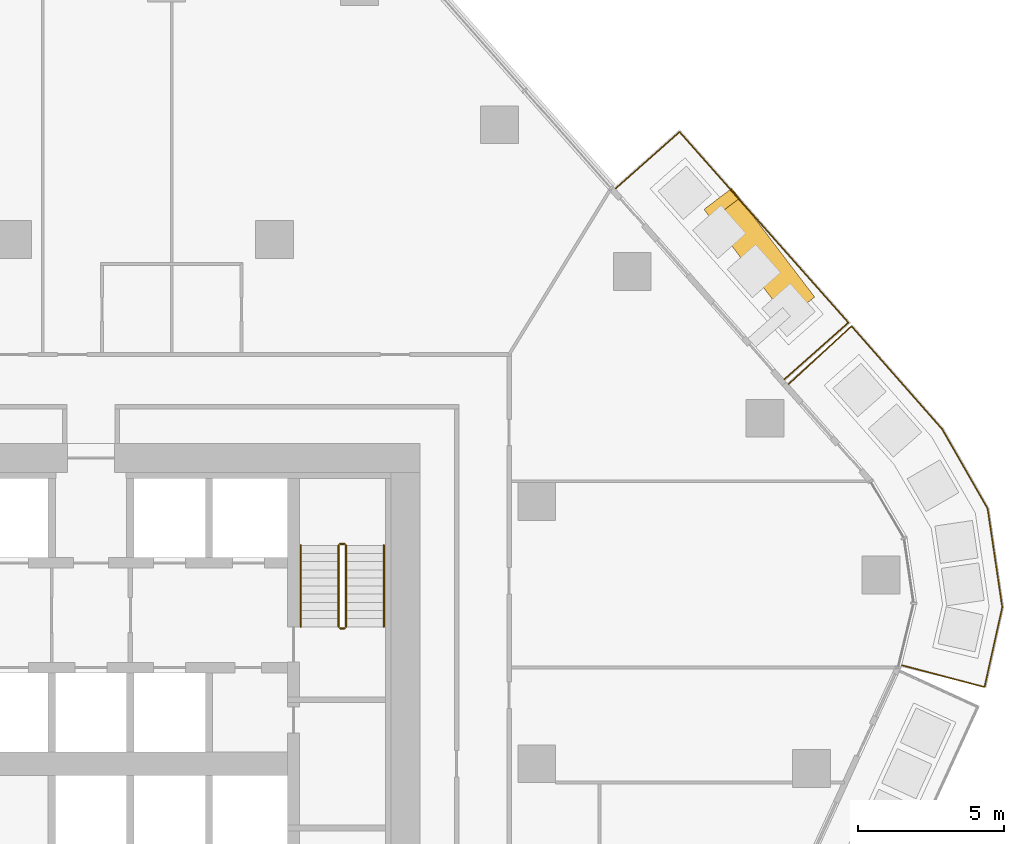
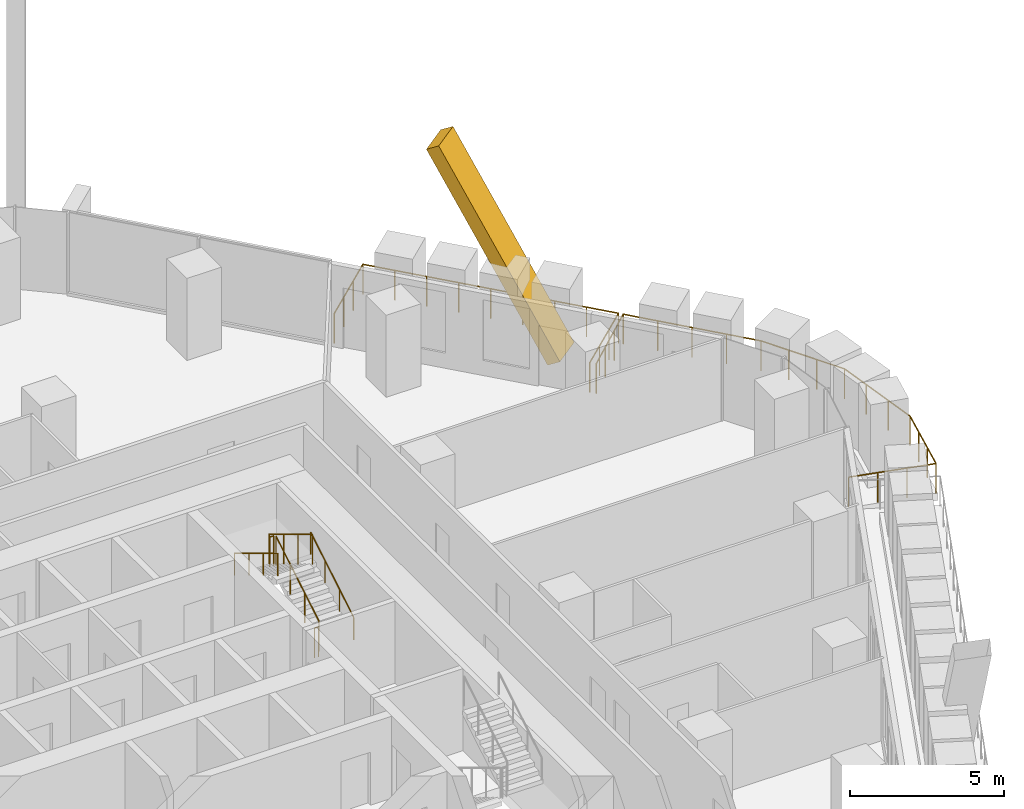
# One storey, part 25 of 26: 8 railings, 1 covering, 1 element without a shape of its own.
"""IFC4 building model written with IfcOpenShell, lengths in metres."""

from ifc_helpers import new_model, si_unit, direction, frame, origin, origin_2d, place, context, subcontext, project, spatial, rectangle, circle, extrude, material, layer, layer_set, material_profile, profile_set, type_object, element, aggregate, save


model = new_model("IFC4")

# Units and contexts
model_context = context("Model", 3, precision=1e-05, world=origin(), true_north=direction((0.0, 1.0)))
body_context = subcontext(model_context, "Body", "Model", "MODEL_VIEW")
ifc_project = project(units=[si_unit("LENGTHUNIT", "METRE"), si_unit("AREAUNIT", "SQUARE_METRE"), si_unit("VOLUMEUNIT", "CUBIC_METRE"), si_unit("PLANEANGLEUNIT", "RADIAN"), si_unit("MASSUNIT", "GRAM", prefix="KILO")], contexts=[model_context])

# Site, building, storey
site_placement = place(None, origin())
site = spatial("IfcSite", under=ifc_project, at=site_placement, CompositionType="ELEMENT")
building_placement = place(site_placement, origin())
building = spatial("IfcBuilding", under=site, at=building_placement, Name="Dongbaek Canopy Tower", CompositionType="ELEMENT")
storey_placement = place(building_placement, frame((0.0, 0.0, 95.199951171875)))
storey = spatial("IfcBuildingStorey", under=building, at=storey_placement, Name="L19", CompositionType="ELEMENT", Elevation=95.199951171875)

# Railings
ifc_material_1 = material(Name="Stainless steel", Category="steel")
railing_type_1 = type_object("IfcRailingType", Name="Balcony balustrade 1200", PredefinedType="BALUSTRADE", material=ifc_material_1)
railing_1_placement = place(storey_placement, frame((26.4970703125, 13.195068359375, 0.0)))
element("IfcRailing", 1, at=railing_1_placement, inside=storey, type_object=railing_type_1, Name="Balcony guard L19 1", PredefinedType="BALUSTRADE", context=body_context, shape_type="SweptSolid", body=[
    extrude(circle(Radius=0.02392578125, at=origin_2d()), frame((0.0, 0.0, 1.17578125), z_axis=(0.748731822511, 0.662873033061, 0.0), x_axis=(-0.662873033061, 0.748731822511, 0.0)), (0.0, 0.0, 1.0), 2.940185546875),
    extrude(circle(Radius=0.02392578125, at=origin_2d()), frame((2.201416015625, 1.948974609375, 1.17578125), z_axis=(-0.662873847193, 0.748731101737, 0.0), x_axis=(-0.748731101737, -0.662873847193, 0.0)), (0.0, 0.0, 1.0), 8.743896484375),
    extrude(circle(Radius=0.02392578125, at=origin_2d()), frame((-3.5947265625, 8.495849609375, 1.17578125), z_axis=(-0.74873654889, -0.662867694458, 0.0), x_axis=(0.662867694458, -0.74873654889, 0.0)), (0.0, 0.0, 1.0), 2.93994140625),
    extrude(circle(Radius=0.02099609375, at=origin_2d()), origin(), (0.0, 0.0, 1.0), 1.15185546875),
    extrude(circle(Radius=0.02099609375, at=origin_2d()), frame((0.73388671875, 0.649658203125, 0.0)), (0.0, 0.0, 1.0), 1.15185546875),
    extrude(circle(Radius=0.02099609375, at=origin_2d()), frame((1.467529296875, 1.29931640625, 0.0)), (0.0, 0.0, 1.0), 1.15185546875),
    extrude(circle(Radius=0.02099609375, at=origin_2d()), frame((2.201416015625, 1.948974609375, 0.0)), (0.0, 0.0, 1.0), 1.15185546875),
    extrude(circle(Radius=0.02099609375, at=origin_2d()), frame((1.476806640625, 2.767333984375, 0.0)), (0.0, 0.0, 1.0), 1.15185546875),
    extrude(circle(Radius=0.02099609375, at=origin_2d()), frame((0.75244140625, 3.585693359375, 0.0)), (0.0, 0.0, 1.0), 1.15185546875),
    extrude(circle(Radius=0.02099609375, at=origin_2d()), frame((0.02783203125, 4.404052734375, 0.0)), (0.0, 0.0, 1.0), 1.15185546875),
    extrude(circle(Radius=0.02099609375, at=origin_2d()), frame((-0.69677734375, 5.222412109375, 0.0)), (0.0, 0.0, 1.0), 1.15185546875),
    extrude(circle(Radius=0.02099609375, at=origin_2d()), frame((-1.421142578125, 6.040771484375, 0.0)), (0.0, 0.0, 1.0), 1.15185546875),
    extrude(circle(Radius=0.02099609375, at=origin_2d()), frame((-2.145751953125, 6.859130859375, 0.0)), (0.0, 0.0, 1.0), 1.15185546875),
    extrude(circle(Radius=0.02099609375, at=origin_2d()), frame((-2.8701171875, 7.677490234375, 0.0)), (0.0, 0.0, 1.0), 1.15185546875),
    extrude(circle(Radius=0.02099609375, at=origin_2d()), frame((-3.5947265625, 8.495849609375, 0.0)), (0.0, 0.0, 1.0), 1.15185546875),
    extrude(circle(Radius=0.02099609375, at=origin_2d()), frame((-4.328369140625, 7.84619140625, 0.0)), (0.0, 0.0, 1.0), 1.15185546875),
    extrude(circle(Radius=0.02099609375, at=origin_2d()), frame((-5.062255859375, 7.19677734375, 0.0)), (0.0, 0.0, 1.0), 1.15185546875),
    extrude(circle(Radius=0.02099609375, at=origin_2d()), frame((-5.7958984375, 6.547119140625, 0.0)), (0.0, 0.0, 1.0), 1.15185546875),
])
railing_2_placement = place(storey_placement, frame((30.52734375, 3.384033203125, 0.0)))
element("IfcRailing", 2, at=railing_2_placement, inside=storey, type_object=railing_type_1, Name="Balcony guard L19 6", PredefinedType="BALUSTRADE", context=body_context, shape_type="SweptSolid", body=[
    extrude(circle(Radius=0.02392578125, at=origin_2d()), frame((0.0, 0.0, 1.17578125), z_axis=(0.966844010353, -0.255367694989, 0.0), x_axis=(0.255367694989, 0.966844010353, 0.0)), (0.0, 0.0, 1.0), 2.940673828125),
    extrude(circle(Radius=0.02392578125, at=origin_2d()), frame((2.84326171875, -0.7509765625, 1.17578125), z_axis=(0.216718750392, 0.97623408219, 0.0), x_axis=(-0.97623408219, 0.216718750392, 0.0)), (0.0, 0.0, 1.0), 2.808349609375),
    extrude(circle(Radius=0.02392578125, at=origin_2d()), frame((3.451904296875, 1.99072265625, 1.17578125), z_axis=(-0.146605569749, 0.989195029769, 0.0), x_axis=(-0.989195029769, -0.146605569749, 0.0)), (0.0, 0.0, 1.0), 3.42041015625),
    extrude(circle(Radius=0.02392578125, at=origin_2d()), frame((2.950439453125, 5.374267578125, 1.17578125), z_axis=(-0.496180794944, 0.868219222736, 0.0), x_axis=(-0.868219222736, -0.496180794944, 0.0)), (0.0, 0.0, 1.0), 3.140625),
    extrude(circle(Radius=0.02392578125, at=origin_2d()), frame((1.39208984375, 8.10107421875, 1.17578125), z_axis=(-0.660701434092, 0.750648796035, 0.0), x_axis=(-0.750648796035, -0.660701434092, 0.0)), (0.0, 0.0, 1.0), 4.714599609375),
    extrude(circle(Radius=0.02392578125, at=origin_2d()), frame((-1.722900390625, 11.64013671875, 1.17578125), z_axis=(-0.735089849868, -0.677969698896, 0.0), x_axis=(0.677969698896, -0.735089849868, 0.0)), (0.0, 0.0, 1.0), 2.940673828125),
    extrude(circle(Radius=0.02099609375, at=origin_2d()), origin(), (0.0, 0.0, 1.0), 1.15185546875),
    extrude(circle(Radius=0.02099609375, at=origin_2d()), frame((0.94775390625, -0.250244140625, 0.0)), (0.0, 0.0, 1.0), 1.15185546875),
    extrude(circle(Radius=0.02099609375, at=origin_2d()), frame((1.8955078125, -0.500732421875, 0.0)), (0.0, 0.0, 1.0), 1.15185546875),
    extrude(circle(Radius=0.02099609375, at=origin_2d()), frame((2.84326171875, -0.7509765625, 0.0)), (0.0, 0.0, 1.0), 1.15185546875),
    extrude(circle(Radius=0.02099609375, at=origin_2d()), frame((3.046142578125, 0.162841796875, 0.0)), (0.0, 0.0, 1.0), 1.15185546875),
    extrude(circle(Radius=0.02099609375, at=origin_2d()), frame((3.2490234375, 1.076904296875, 0.0)), (0.0, 0.0, 1.0), 1.15185546875),
    extrude(circle(Radius=0.02099609375, at=origin_2d()), frame((3.451904296875, 1.99072265625, 0.0)), (0.0, 0.0, 1.0), 1.15185546875),
    extrude(circle(Radius=0.02099609375, at=origin_2d()), frame((3.28466796875, 3.11865234375, 0.0)), (0.0, 0.0, 1.0), 1.15185546875),
    extrude(circle(Radius=0.02099609375, at=origin_2d()), frame((3.11767578125, 4.246337890625, 0.0)), (0.0, 0.0, 1.0), 1.15185546875),
    extrude(circle(Radius=0.02099609375, at=origin_2d()), frame((2.950439453125, 5.374267578125, 0.0)), (0.0, 0.0, 1.0), 1.15185546875),
    extrude(circle(Radius=0.02099609375, at=origin_2d()), frame((2.430908203125, 6.283203125, 0.0)), (0.0, 0.0, 1.0), 1.15185546875),
    extrude(circle(Radius=0.02099609375, at=origin_2d()), frame((1.91162109375, 7.192138671875, 0.0)), (0.0, 0.0, 1.0), 1.15185546875),
    extrude(circle(Radius=0.02099609375, at=origin_2d()), frame((1.39208984375, 8.10107421875, 0.0)), (0.0, 0.0, 1.0), 1.15185546875),
    extrude(circle(Radius=0.02099609375, at=origin_2d()), frame((0.61328125, 8.98583984375, 0.0)), (0.0, 0.0, 1.0), 1.15185546875),
    extrude(circle(Radius=0.02099609375, at=origin_2d()), frame((-0.16552734375, 9.87060546875, 0.0)), (0.0, 0.0, 1.0), 1.15185546875),
    extrude(circle(Radius=0.02099609375, at=origin_2d()), frame((-0.944091796875, 10.75537109375, 0.0)), (0.0, 0.0, 1.0), 1.15185546875),
    extrude(circle(Radius=0.02099609375, at=origin_2d()), frame((-1.722900390625, 11.64013671875, 0.0)), (0.0, 0.0, 1.0), 1.15185546875),
    extrude(circle(Radius=0.02099609375, at=origin_2d()), frame((-2.443359375, 10.9755859375, 0.0)), (0.0, 0.0, 1.0), 1.15185546875),
    extrude(circle(Radius=0.02099609375, at=origin_2d()), frame((-3.1640625, 10.31103515625, 0.0)), (0.0, 0.0, 1.0), 1.15185546875),
    extrude(circle(Radius=0.02099609375, at=origin_2d()), frame((-3.884521484375, 9.646484375, 0.0)), (0.0, 0.0, 1.0), 1.15185546875),
])

# Curtain wall, covering
ifc_material_2 = material(Name="Aluminium 6063-T6 pale anodised", Category="aluminium")
ifc_layer = layer(ifc_material_2, 0.199951171875)
ifc_layer_set = layer_set([ifc_layer], Name="CW-1 unitised tower curtain wall")
curtain_wall_type = type_object("IfcCurtainWallType", Name="CW-1 unitised tower curtain wall", PredefinedType="NOTDEFINED", material=ifc_layer_set)
curtain_wall_placement = place(storey_placement, origin())
curtain_wall = element("IfcCurtainWall", 3, at=curtain_wall_placement, inside=storey, type_object=curtain_wall_type, Name="CW-1 curtain wall K0.1", PredefinedType="NOTDEFINED")
ifc_material_3 = material(Name="Aluminium 6063-T6 pale metal fin", Category="aluminium")
ifc_material_profile = material_profile(ifc_material_3, rectangle(XDim=1.199951171875, YDim=0.5, at=origin_2d()), Name="Crease fin CF1 500 x 1200 pale metal")
ifc_profile_set = profile_set([ifc_material_profile], Name="Aluminium 6063-T6 pale metal fin")
covering_type = type_object("IfcCoveringType", Name="Crease fin CF1 500 x 1200 pale metal", PredefinedType="CLADDING", material=ifc_profile_set)
covering_placement = place(storey_placement, frame((26.93359375, 15.8291015625, -0.224853515625), z_axis=(-0.30231936928, 0.397203339647, 0.866505918001), x_axis=(-0.795732688492, -0.605647990557, 0.0)))
covering = element("IfcCovering", 4, at=covering_placement, type_object=covering_type, Name="Crease fin L19 L21 F0", PredefinedType="CLADDING", context=body_context, shape_type="SweptSolid", body=[
    extrude(rectangle(XDim=1.199951171875, YDim=0.5, at=origin_2d()), origin(), (0.0, 0.0, 1.0), 8.5400390625),
])
aggregate(curtain_wall, [covering])

# Railings
ifc_material_4 = material(Name="Stainless steel tube and balusters", Category="steel")
railing_type_2 = type_object("IfcRailingType", Name="Stair guard 1200", PredefinedType="GUARDRAIL", material=ifc_material_4)
railing_3_placement = place(storey_placement, frame((11.449951171875, 4.699951171875, 0.168212890625)))
element("IfcRailing", 5, at=railing_3_placement, inside=storey, type_object=railing_type_2, Name="L19 ST-A stair guard 1", PredefinedType="GUARDRAIL", context=body_context, shape_type="SweptSolid", body=[
    extrude(circle(Radius=0.02392578125, at=origin_2d()), frame((0.0, 0.0, 1.17578125), z_axis=(0.0, 0.857242210791, 0.514913383045), x_axis=(-1.0, 0.0, 0.0)), (0.0, 0.0, 1.0), 3.266357421875),
    extrude(circle(Radius=0.02099609375, at=origin_2d()), origin(), (0.0, 0.0, 1.0), 1.15185546875),
    extrude(circle(Radius=0.02099609375, at=origin_2d()), frame((0.0, 0.933349609375, 0.560546875)), (0.0, 0.0, 1.0), 1.15185546875),
    extrude(circle(Radius=0.02099609375, at=origin_2d()), frame((0.0, 1.86669921875, 1.121337890625)), (0.0, 0.0, 1.0), 1.15185546875),
    extrude(circle(Radius=0.02099609375, at=origin_2d()), frame((0.0, 2.800048828125, 1.681884765625)), (0.0, 0.0, 1.0), 1.15185546875),
])
railing_4_placement = place(storey_placement, frame((11.39990234375, 7.550048828125, 1.85009765625)))
element("IfcRailing", 6, at=railing_4_placement, inside=storey, type_object=railing_type_2, Name="L19 ST-A stair guard 2", PredefinedType="GUARDRAIL", context=body_context, shape_type="SweptSolid", body=[
    extrude(circle(Radius=0.02392578125, at=origin_2d()), frame((0.0, 0.0, 1.17578125), z_axis=(-1.0, 0.0, 0.0), x_axis=(0.0, -1.0, 0.0)), (0.0, 0.0, 1.0), 0.14990234375),
    extrude(circle(Radius=0.02099609375, at=origin_2d()), origin(), (0.0, 0.0, 1.0), 1.15185546875),
    extrude(circle(Radius=0.02099609375, at=origin_2d()), frame((-0.14990234375, 0.0, 0.0)), (0.0, 0.0, 1.0), 1.15185546875),
])
railing_5_placement = place(storey_placement, frame((11.199951171875, 7.5, 2.018310546875)))
element("IfcRailing", 7, at=railing_5_placement, inside=storey, type_object=railing_type_2, Name="L19 ST-A stair guard 3", PredefinedType="GUARDRAIL", context=body_context, shape_type="SweptSolid", body=[
    extrude(circle(Radius=0.02392578125, at=origin_2d()), frame((0.0, 0.0, 1.17578125), z_axis=(0.0, -0.857275202839, 0.514858452973), x_axis=(1.0, 0.0, 0.0)), (0.0, 0.0, 1.0), 3.26611328125),
    extrude(circle(Radius=0.02099609375, at=origin_2d()), origin(), (0.0, 0.0, 1.0), 1.15185546875),
    extrude(circle(Radius=0.02099609375, at=origin_2d()), frame((0.0, -0.933349609375, 0.560546875)), (0.0, 0.0, 1.0), 1.15185546875),
    extrude(circle(Radius=0.02099609375, at=origin_2d()), frame((0.0, -1.86669921875, 1.12109375)), (0.0, 0.0, 1.0), 1.15185546875),
    extrude(circle(Radius=0.02099609375, at=origin_2d()), frame((0.0, -2.800048828125, 1.681640625)), (0.0, 0.0, 1.0), 1.15185546875),
])
railing_6_placement = place(storey_placement, frame((11.39990234375, 4.64990234375, 0.0)))
element("IfcRailing", 8, at=railing_6_placement, inside=storey, type_object=railing_type_2, Name="L19 ST-A stair guard 4", PredefinedType="GUARDRAIL", context=body_context, shape_type="SweptSolid", body=[
    extrude(circle(Radius=0.02392578125, at=origin_2d()), frame((0.0, 0.0, 1.17578125), z_axis=(-1.0, 0.0, 0.0), x_axis=(0.0, -1.0, 0.0)), (0.0, 0.0, 1.0), 0.14990234375),
    extrude(circle(Radius=0.02099609375, at=origin_2d()), origin(), (0.0, 0.0, 1.0), 1.15185546875),
    extrude(circle(Radius=0.02099609375, at=origin_2d()), frame((-0.14990234375, 0.0, 0.0)), (0.0, 0.0, 1.0), 1.15185546875),
])
ifc_material_5 = material(Name="Stainless steel tube", Category="steel")
railing_type_3 = type_object("IfcRailingType", Name="Stair handrail 900", PredefinedType="HANDRAIL", material=ifc_material_5)
railing_7_placement = place(storey_placement, frame((12.75, 4.699951171875, 0.168212890625)))
element("IfcRailing", 9, at=railing_7_placement, inside=storey, type_object=railing_type_3, Name="L19 ST-A stair handrail 1", PredefinedType="HANDRAIL", context=body_context, shape_type="SweptSolid", body=[
    extrude(circle(Radius=0.02392578125, at=origin_2d()), frame((0.0, 0.0, 0.8759765625), z_axis=(0.0, 0.857242210791, 0.514913383045), x_axis=(-1.0, 0.0, 0.0)), (0.0, 0.0, 1.0), 3.266357421875),
    extrude(circle(Radius=0.02099609375, at=origin_2d()), origin(), (0.0, 0.0, 1.0), 0.851806640625),
    extrude(circle(Radius=0.02099609375, at=origin_2d()), frame((0.0, 0.933349609375, 0.560546875)), (0.0, 0.0, 1.0), 0.851806640625),
    extrude(circle(Radius=0.02099609375, at=origin_2d()), frame((0.0, 1.86669921875, 1.121337890625)), (0.0, 0.0, 1.0), 0.851806640625),
    extrude(circle(Radius=0.02099609375, at=origin_2d()), frame((0.0, 2.800048828125, 1.681884765625)), (0.0, 0.0, 1.0), 0.851806640625),
])
railing_8_placement = place(storey_placement, frame((9.89990234375, 7.5, 2.018310546875)))
element("IfcRailing", 10, at=railing_8_placement, inside=storey, type_object=railing_type_3, Name="L19 ST-A stair handrail 2", PredefinedType="HANDRAIL", context=body_context, shape_type="SweptSolid", body=[
    extrude(circle(Radius=0.02392578125, at=origin_2d()), frame((0.0, 0.0, 0.8759765625), z_axis=(0.0, -0.857275202839, 0.514858452973), x_axis=(1.0, 0.0, 0.0)), (0.0, 0.0, 1.0), 3.26611328125),
    extrude(circle(Radius=0.02099609375, at=origin_2d()), origin(), (0.0, 0.0, 1.0), 0.851806640625),
    extrude(circle(Radius=0.02099609375, at=origin_2d()), frame((0.0, -0.933349609375, 0.560546875)), (0.0, 0.0, 1.0), 0.851806640625),
    extrude(circle(Radius=0.02099609375, at=origin_2d()), frame((0.0, -1.86669921875, 1.12109375)), (0.0, 0.0, 1.0), 0.851806640625),
    extrude(circle(Radius=0.02099609375, at=origin_2d()), frame((0.0, -2.800048828125, 1.681640625)), (0.0, 0.0, 1.0), 0.851806640625),
])

save(model, "model.ifc")
